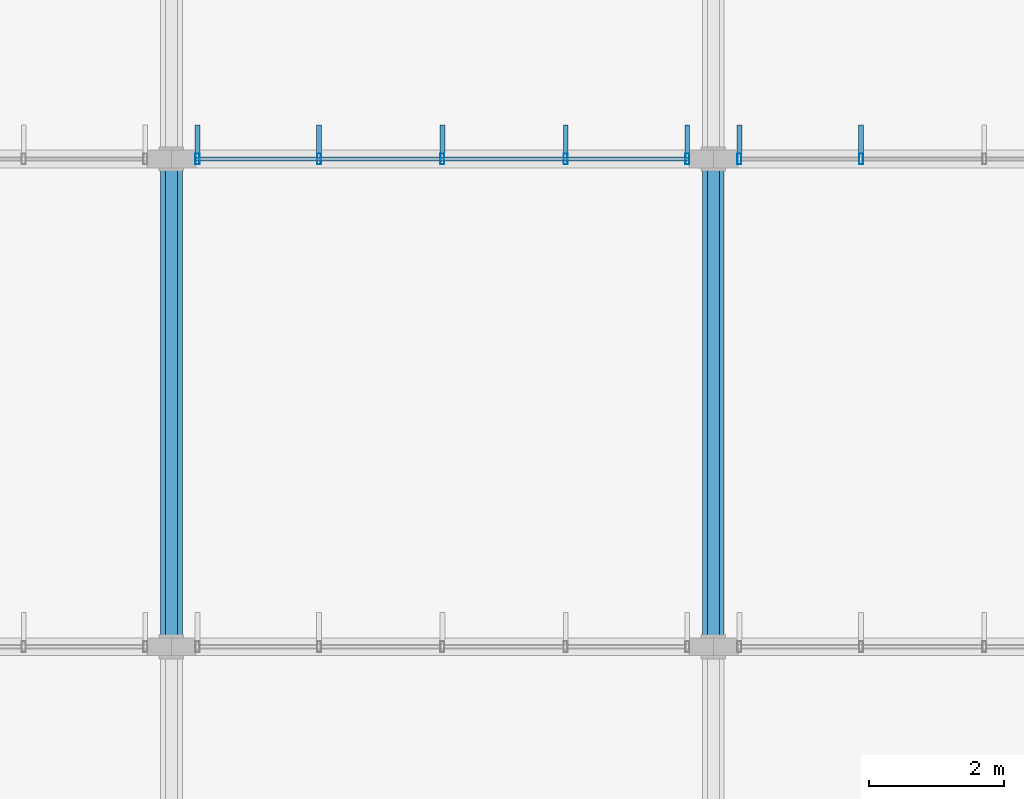
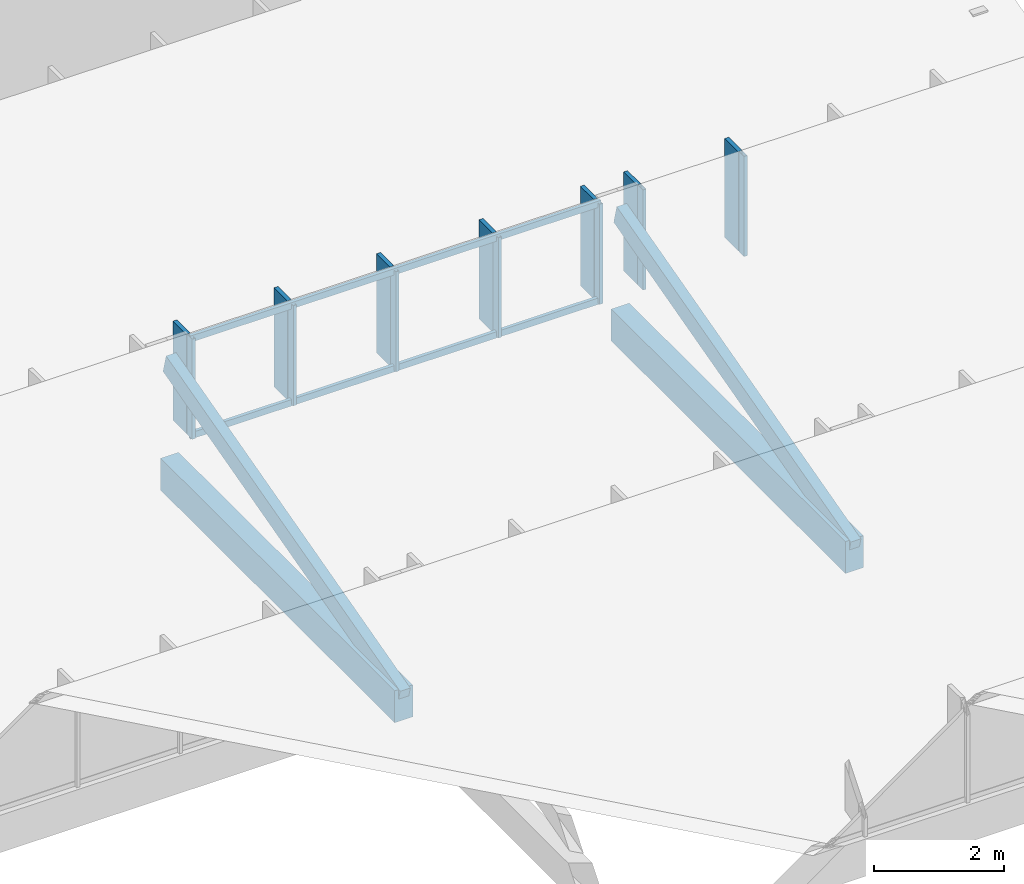
# One storey, part 38 of 94: 20 members, 2 elements without a shape of their own.
"""IFC4 building model written with IfcOpenShell, lengths in metres."""

from ifc_helpers import new_model, si_unit, direction, frame, origin, origin_2d, place, context, subcontext, project, spatial, rectangle, hollow_rectangle, extrude, material, material_profile, profile_set, type_object, element, aggregate, save


model = new_model("IFC4")

# Units and contexts
model_context = context("Model", 3, precision=1e-05, world=origin(), true_north=direction((0.0, 1.0)))
body_context = subcontext(model_context, "Body", "Model", "MODEL_VIEW")
ifc_project = project(units=[si_unit("LENGTHUNIT", "METRE"), si_unit("AREAUNIT", "SQUARE_METRE"), si_unit("VOLUMEUNIT", "CUBIC_METRE"), si_unit("PLANEANGLEUNIT", "RADIAN"), si_unit("MASSUNIT", "GRAM", prefix="KILO")], contexts=[model_context])

# Site, building, storey
site_placement = place(None, origin())
site = spatial("IfcSite", under=ifc_project, at=site_placement, CompositionType="ELEMENT")
building_placement = place(site_placement, origin())
building = spatial("IfcBuilding", under=site, at=building_placement, Name="Chiffa Square Polytechnic", CompositionType="ELEMENT")
storey_placement = place(building_placement, frame((0.0, 0.0, 18.0)))
storey = spatial("IfcBuildingStorey", under=building, at=storey_placement, Name="L04", CompositionType="ELEMENT", Elevation=18.0)

# Curtain wall, members
ifc_material_1 = material(Name="Aluminium EN AW-6060 T66 and glulam shading", Category="wood")
curtain_wall_type_1 = type_object("IfcCurtainWallType", Name="CW-VERT-450X380", PredefinedType="USERDEFINED", material=ifc_material_1)
curtain_wall_1_placement = place(storey_placement, origin())
curtain_wall_1 = element("IfcCurtainWall", 1, at=curtain_wall_1_placement, inside=storey, type_object=curtain_wall_type_1, Name="Curtain wall CW-V6-SAW7-3", ObjectType="CURTAIN WALL", PredefinedType="USERDEFINED")
ifc_material_2 = material(Name="Aluminium EN AW-6060 T66", Category="aluminium")
ifc_material_profile_1 = material_profile(ifc_material_2, hollow_rectangle(XDim=0.06005859375, YDim=0.159912109375, WallThickness=0.00390625, at=origin_2d()), Name="ALU 60x160x4")
ifc_profile_set_1 = profile_set([ifc_material_profile_1], Name="Aluminium EN AW-6060 T66")
member_type_1 = type_object("IfcMemberType", Name="CWM-ALU-65X150", PredefinedType="MULLION", material=ifc_profile_set_1)
member_1_placement = place(storey_placement, frame((23.614990234375, 87.0, 0.699951171875), z_axis=(0.0, 0.0, 1.0), x_axis=(1.0, 0.0, 0.0)))
member_1 = element("IfcMember", 2, at=member_1_placement, type_object=member_type_1, Name="Curtain wall mullion CW-V6-SAW7-3-M00", PredefinedType="MULLION", context=body_context, shape_type="SweptSolid", body=[
    extrude(hollow_rectangle(XDim=0.06005859375, YDim=0.159912109375, WallThickness=0.00390625, at=origin_2d()), origin(), (0.0, 0.0, 1.0), 1.879150390625),
])
member_2_placement = place(storey_placement, frame((21.820068359375, 87.0, 0.699951171875), z_axis=(0.0, 0.0, 1.0), x_axis=(1.0, 0.0, 0.0)))
member_2 = element("IfcMember", 3, at=member_2_placement, type_object=member_type_1, Name="Curtain wall mullion CW-V6-SAW7-3-M01", PredefinedType="MULLION", context=body_context, shape_type="SweptSolid", body=[
    extrude(hollow_rectangle(XDim=0.06005859375, YDim=0.159912109375, WallThickness=0.00390625, at=origin_2d()), origin(), (0.0, 0.0, 1.0), 1.879150390625),
])
member_3_placement = place(storey_placement, frame((20.0, 87.0, 0.699951171875), z_axis=(0.0, 0.0, 1.0), x_axis=(1.0, 0.0, 0.0)))
member_3 = element("IfcMember", 4, at=member_3_placement, type_object=member_type_1, Name="Curtain wall mullion CW-V6-SAW7-3-M02", PredefinedType="MULLION", context=body_context, shape_type="SweptSolid", body=[
    extrude(hollow_rectangle(XDim=0.06005859375, YDim=0.159912109375, WallThickness=0.00390625, at=origin_2d()), origin(), (0.0, 0.0, 1.0), 1.879150390625),
])
member_4_placement = place(storey_placement, frame((18.179931640625, 87.0, 0.699951171875), z_axis=(0.0, 0.0, 1.0), x_axis=(1.0, 0.0, 0.0)))
member_4 = element("IfcMember", 5, at=member_4_placement, type_object=member_type_1, Name="Curtain wall mullion CW-V6-SAW7-3-M03", PredefinedType="MULLION", context=body_context, shape_type="SweptSolid", body=[
    extrude(hollow_rectangle(XDim=0.06005859375, YDim=0.159912109375, WallThickness=0.00390625, at=origin_2d()), origin(), (0.0, 0.0, 1.0), 1.879150390625),
])
member_5_placement = place(storey_placement, frame((16.385009765625, 87.0, 0.699951171875), z_axis=(0.0, 0.0, 1.0), x_axis=(1.0, 0.0, 0.0)))
member_5 = element("IfcMember", 6, at=member_5_placement, type_object=member_type_1, Name="Curtain wall mullion CW-V6-SAW7-3-M04", PredefinedType="MULLION", context=body_context, shape_type="SweptSolid", body=[
    extrude(hollow_rectangle(XDim=0.06005859375, YDim=0.159912109375, WallThickness=0.00390625, at=origin_2d()), origin(), (0.0, 0.0, 1.0), 1.879150390625),
])

curtain_wall_type_2 = type_object("IfcCurtainWallType", Name="CW-VERT-300X380", PredefinedType="USERDEFINED", material=ifc_material_1)
curtain_wall_2_placement = place(storey_placement, origin())
curtain_wall_2 = element("IfcCurtainWall", 7, at=curtain_wall_2_placement, inside=storey, type_object=curtain_wall_type_2, Name="Curtain wall CW-V6-SAW7-4", ObjectType="CURTAIN WALL", PredefinedType="USERDEFINED")
member_6_placement = place(storey_placement, frame((26.179931640625, 87.0, 0.699951171875), z_axis=(0.0, 0.0, 1.0), x_axis=(1.0, 0.0, 0.0)))
member_6 = element("IfcMember", 8, at=member_6_placement, type_object=member_type_1, Name="Curtain wall mullion CW-V6-SAW7-4-M03", PredefinedType="MULLION", context=body_context, shape_type="SweptSolid", body=[
    extrude(hollow_rectangle(XDim=0.06005859375, YDim=0.159912109375, WallThickness=0.00390625, at=origin_2d()), origin(), (0.0, 0.0, 1.0), 1.879150390625),
])
member_7_placement = place(storey_placement, frame((24.385009765625, 87.0, 0.699951171875), z_axis=(0.0, 0.0, 1.0), x_axis=(1.0, 0.0, 0.0)))
member_7 = element("IfcMember", 9, at=member_7_placement, type_object=member_type_1, Name="Curtain wall mullion CW-V6-SAW7-4-M04", PredefinedType="MULLION", context=body_context, shape_type="SweptSolid", body=[
    extrude(hollow_rectangle(XDim=0.06005859375, YDim=0.159912109375, WallThickness=0.00390625, at=origin_2d()), origin(), (0.0, 0.0, 1.0), 1.879150390625),
])

# Member
ifc_material_3 = material(Name="Glulam GL28h", Category="wood")
ifc_material_profile_2 = material_profile(ifc_material_3, rectangle(XDim=0.070068359375, YDim=0.419921875, at=origin_2d()), Name="GL28h 70x420")
ifc_profile_set_2 = profile_set([ifc_material_profile_2], Name="Glulam GL28h")
member_type_2 = type_object("IfcMemberType", Name="CWM-GL-70X420", PredefinedType="MULLION", material=ifc_profile_set_2)
member_8_placement = place(storey_placement, frame((23.614990234375, 87.2919921875, 0.7099609375), z_axis=(0.0, 0.0, 1.0), x_axis=(-1.0, 0.0, 0.0)))
member_8 = element("IfcMember", 10, at=member_8_placement, type_object=member_type_2, Name="Exterior glulam solar fin CW-V6-SAW7-3-FN00", PredefinedType="MULLION", context=body_context, shape_type="SweptSolid", body=[
    extrude(rectangle(XDim=0.070068359375, YDim=0.419921875, at=origin_2d()), origin(), (0.0, 0.0, 1.0), 1.859130859375),
])

member_9_placement = place(storey_placement, frame((21.820068359375, 87.2919921875, 0.7099609375), z_axis=(0.0, 0.0, 1.0), x_axis=(-1.0, 0.0, 0.0)))
member_9 = element("IfcMember", 11, at=member_9_placement, type_object=member_type_2, Name="Exterior glulam solar fin CW-V6-SAW7-3-FN01", PredefinedType="MULLION", context=body_context, shape_type="SweptSolid", body=[
    extrude(rectangle(XDim=0.070068359375, YDim=0.419921875, at=origin_2d()), origin(), (0.0, 0.0, 1.0), 1.859130859375),
])

member_10_placement = place(storey_placement, frame((20.0, 87.2919921875, 0.7099609375), z_axis=(0.0, 0.0, 1.0), x_axis=(-1.0, 0.0, 0.0)))
member_10 = element("IfcMember", 12, at=member_10_placement, type_object=member_type_2, Name="Exterior glulam solar fin CW-V6-SAW7-3-FN02", PredefinedType="MULLION", context=body_context, shape_type="SweptSolid", body=[
    extrude(rectangle(XDim=0.070068359375, YDim=0.419921875, at=origin_2d()), origin(), (0.0, 0.0, 1.0), 1.859130859375),
])

member_11_placement = place(storey_placement, frame((18.179931640625, 87.2919921875, 0.7099609375), z_axis=(0.0, 0.0, 1.0), x_axis=(-1.0, 0.0, 0.0)))
member_11 = element("IfcMember", 13, at=member_11_placement, type_object=member_type_2, Name="Exterior glulam solar fin CW-V6-SAW7-3-FN03", PredefinedType="MULLION", context=body_context, shape_type="SweptSolid", body=[
    extrude(rectangle(XDim=0.070068359375, YDim=0.419921875, at=origin_2d()), origin(), (0.0, 0.0, 1.0), 1.859130859375),
])

member_12_placement = place(storey_placement, frame((16.385009765625, 87.2919921875, 0.7099609375), z_axis=(0.0, 0.0, 1.0), x_axis=(-1.0, 0.0, 0.0)))
member_12 = element("IfcMember", 14, at=member_12_placement, type_object=member_type_2, Name="Exterior glulam solar fin CW-V6-SAW7-3-FN04", PredefinedType="MULLION", context=body_context, shape_type="SweptSolid", body=[
    extrude(rectangle(XDim=0.070068359375, YDim=0.419921875, at=origin_2d()), origin(), (0.0, 0.0, 1.0), 1.859130859375),
])

member_13_placement = place(storey_placement, frame((26.179931640625, 87.2919921875, 0.7099609375), z_axis=(0.0, 0.0, 1.0), x_axis=(-1.0, 0.0, 0.0)))
member_13 = element("IfcMember", 15, at=member_13_placement, type_object=member_type_2, Name="Exterior glulam solar fin CW-V6-SAW7-4-FN03", PredefinedType="MULLION", context=body_context, shape_type="SweptSolid", body=[
    extrude(rectangle(XDim=0.070068359375, YDim=0.419921875, at=origin_2d()), origin(), (0.0, 0.0, 1.0), 1.859130859375),
])

member_14_placement = place(storey_placement, frame((24.385009765625, 87.2919921875, 0.7099609375), z_axis=(0.0, 0.0, 1.0), x_axis=(-1.0, 0.0, 0.0)))
member_14 = element("IfcMember", 16, at=member_14_placement, type_object=member_type_2, Name="Exterior glulam solar fin CW-V6-SAW7-4-FN04", PredefinedType="MULLION", context=body_context, shape_type="SweptSolid", body=[
    extrude(rectangle(XDim=0.070068359375, YDim=0.419921875, at=origin_2d()), origin(), (0.0, 0.0, 1.0), 1.859130859375),
])

aggregate(curtain_wall_2, [member_6, member_13, member_7, member_14])

ifc_material_profile_3 = material_profile(ifc_material_2, hollow_rectangle(XDim=0.06005859375, YDim=0.1201171875, WallThickness=0.00390625, at=origin_2d()), Name="ALU 60x120x4")
ifc_profile_set_3 = profile_set([ifc_material_profile_3], Name="Aluminium EN AW-6060 T66")
member_type_3 = type_object("IfcMemberType", Name="CWT-ALU-65X120", PredefinedType="USERDEFINED", material=ifc_profile_set_3)
member_15_placement = place(storey_placement, frame((23.64208984375, 87.0, 0.72998046875), z_axis=(-1.0, 0.0, 0.0), x_axis=(0.0, -1.0, 0.0)))
member_15 = element("IfcMember", 17, at=member_15_placement, type_object=member_type_3, Name="Curtain wall transom CW-V6-SAW7-3-T01", ObjectType="TRANSOM", PredefinedType="USERDEFINED", context=body_context, shape_type="SweptSolid", body=[
    extrude(hollow_rectangle(XDim=0.06005859375, YDim=0.1201171875, WallThickness=0.00390625, at=origin_2d()), origin(), (0.0, 0.0, 1.0), 7.2841796875),
])

member_16_placement = place(storey_placement, frame((23.64208984375, 87.0, 2.549072265625), z_axis=(-1.0, 0.0, 0.0), x_axis=(0.0, -1.0, 0.0)))
member_16 = element("IfcMember", 18, at=member_16_placement, type_object=member_type_3, Name="Curtain wall transom CW-V6-SAW7-3-T02", ObjectType="TRANSOM", PredefinedType="USERDEFINED", context=body_context, shape_type="SweptSolid", body=[
    extrude(hollow_rectangle(XDim=0.06005859375, YDim=0.1201171875, WallThickness=0.00390625, at=origin_2d()), origin(), (0.0, 0.0, 1.0), 7.2841796875),
])

aggregate(curtain_wall_1, [member_1, member_8, member_2, member_9, member_3, member_10, member_4, member_11, member_5, member_12, member_15, member_16])

# Members
ifc_material_4 = material(Name="Glulam GL32c", Category="wood")
ifc_material_profile_4 = material_profile(ifc_material_4, rectangle(XDim=0.320068359375, YDim=0.60009765625, at=origin_2d()), Name="GL32c 320x600")
ifc_profile_set_4 = profile_set([ifc_material_profile_4], Name="Glulam GL32c")
member_type_4 = type_object("IfcMemberType", Name="MEM-CHORD-GL320", PredefinedType="CHORD", material=ifc_profile_set_4)
for number, where, z_axis, x_axis, name in (
    (19, (16.0, 79.800048828125, 0.179931640625), (0.0, 1.0, 0.0), (-1.0, 0.0, 0.0), "Studio sawtooth tie chord TCB-V6-SAW-033"),
    (20, (24.0, 79.800048828125, 0.179931640625), (0.0, 1.0, 0.0), (-1.0, 0.0, 0.0), "Studio sawtooth tie chord TCB-V6-SAW-034"),
):
    element("IfcMember", number, at=place(storey_placement, frame(where, z_axis=z_axis, x_axis=x_axis)), inside=storey, type_object=member_type_4, Name=name, PredefinedType="CHORD", context=body_context, shape_type="SweptSolid", body=[
        extrude(rectangle(XDim=0.320068359375, YDim=0.60009765625, at=origin_2d()), origin(), (0.0, 0.0, 1.0), 7.199951171875),
    ])
ifc_material_profile_5 = material_profile(ifc_material_3, rectangle(XDim=0.179931640625, YDim=0.360107421875, at=origin_2d()), Name="GL28h 180x360")
ifc_profile_set_5 = profile_set([ifc_material_profile_5], Name="Glulam GL28h")
member_type_5 = type_object("IfcMemberType", Name="MEM-RFT-GL180", PredefinedType="RAFTER", material=ifc_profile_set_5)
for number, where, z_axis, x_axis, name in (
    (21, (16.0, 79.800048828125, 0.300048828125), (0.0, 0.965934748059, 0.258785746309), (-1.0, 0.0, 0.0), "Studio sawtooth glulam rafter RF-V6-L04-033"),
    (22, (24.0, 79.800048828125, 0.300048828125), (0.0, 0.965934748059, 0.258785746309), (-1.0, 0.0, 0.0), "Studio sawtooth glulam rafter RF-V6-L04-034"),
):
    element("IfcMember", number, at=place(storey_placement, frame(where, z_axis=z_axis, x_axis=x_axis)), inside=storey, type_object=member_type_5, Name=name, PredefinedType="RAFTER", context=body_context, shape_type="SweptSolid", body=[
        extrude(rectangle(XDim=0.179931640625, YDim=0.360107421875, at=origin_2d()), origin(), (0.0, 0.0, 1.0), 7.453857421875),
    ])

save(model, "model.ifc")
